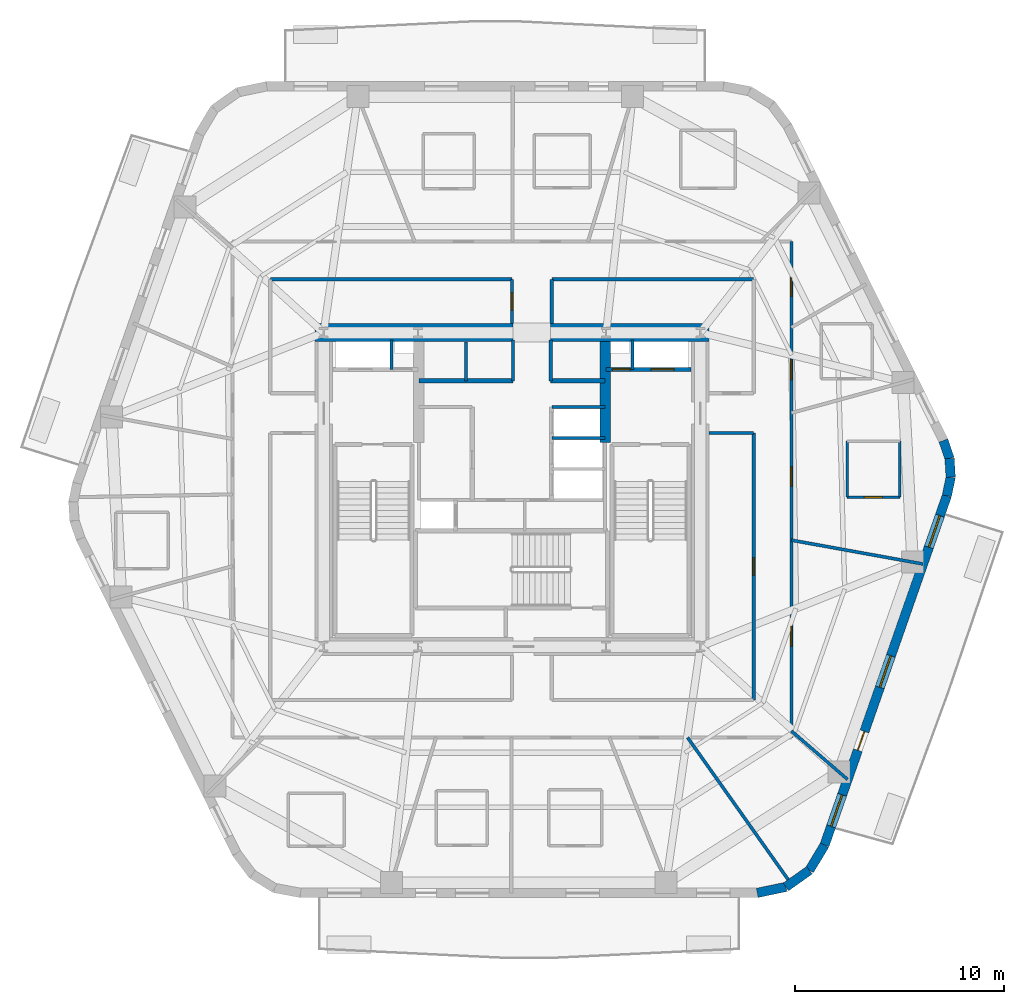
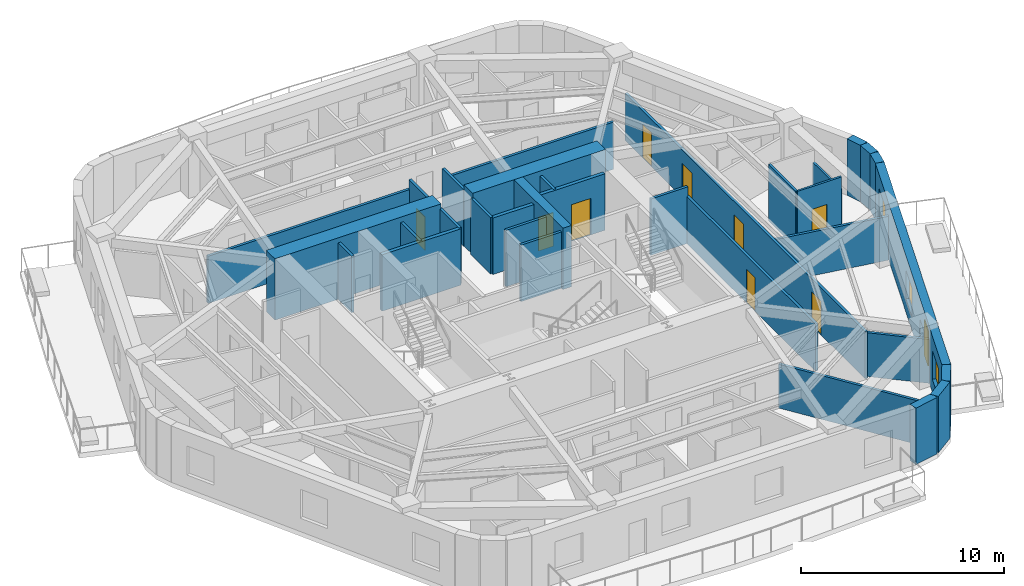
# One storey, part 5 of 11: 33 walls, 10 doors, 3 windows, 13 openings.
"""IFC4 building model written with IfcOpenShell, lengths in metres."""

from ifc_helpers import new_model, si_unit, direction, frame, frame_2d, origin, place, context, subcontext, project, spatial, rectangle, extrude, material, layer, layer_set, type_object, element, fill, save


model = new_model("IFC4")

# Units and contexts
model_context = context("Model", 3, precision=1e-05, world=origin(), true_north=direction((0.0, 1.0)))
body_context = subcontext(model_context, "Body", "Model", "MODEL_VIEW")
ifc_project = project(units=[si_unit("LENGTHUNIT", "METRE"), si_unit("AREAUNIT", "SQUARE_METRE"), si_unit("VOLUMEUNIT", "CUBIC_METRE"), si_unit("PLANEANGLEUNIT", "RADIAN"), si_unit("MASSUNIT", "GRAM", prefix="KILO")], contexts=[model_context])

# Site, building, storey
site_placement = place(None, origin())
site = spatial("IfcSite", under=ifc_project, at=site_placement, CompositionType="ELEMENT")
building_placement = place(site_placement, origin())
building = spatial("IfcBuilding", under=site, at=building_placement, Name="Kilnhurst Terrace Hotel", CompositionType="ELEMENT")
storey_placement = place(building_placement, frame((0.0, 0.0, 162.800048828125)))
storey = spatial("IfcBuildingStorey", under=building, at=storey_placement, Name="L40", CompositionType="ELEMENT", Elevation=162.800048828125)

# Walls
ifc_material_1 = material(Name="Precast concrete C40/50", Category="concrete")
ifc_layer_1 = layer(ifc_material_1, 0.449951171875, Name="Precast concrete C40/50")
ifc_layer_set_1 = layer_set([ifc_layer_1], Name="Precast concrete C40/50")
wall_type_1 = type_object("IfcWallType", Name="WL-BRK-450", PredefinedType="SOLIDWALL", material=ifc_layer_set_1)
wall_1_placement = place(storey_placement, frame((11.720458984375, -19.27490234375, 0.0), z_axis=(0.0, 0.0, 1.0), x_axis=(0.97893106758, 0.204191001093, 0.0)))
element("IfcWall", 1, at=wall_1_placement, inside=storey, type_object=wall_type_1, Name="L40 Rounded Corner Brick Wall C2.1", PredefinedType="SOLIDWALL", context=body_context, shape_type="SweptSolid", body=[
    extrude(rectangle(XDim=1.400146484375, YDim=0.449951171875, at=frame_2d((0.7001953125, 0.0))), origin(), (0.0, 0.0, 1.0), 3.39990234375),
])
wall_2_placement = place(storey_placement, frame((13.091064453125, -18.989013671875, 0.0), z_axis=(0.0, 0.0, 1.0), x_axis=(0.815574637848, 0.578651890258, 0.0)))
element("IfcWall", 2, at=wall_2_placement, inside=storey, type_object=wall_type_1, Name="L40 Rounded Corner Brick Wall C2.2", PredefinedType="SOLIDWALL", context=body_context, shape_type="SweptSolid", body=[
    extrude(rectangle(XDim=1.376708984375, YDim=0.449951171875, at=frame_2d((0.6884765625, 0.0))), origin(), (0.0, 0.0, 1.0), 3.39990234375),
])
wall_3_placement = place(storey_placement, frame((14.2138671875, -18.1923828125, 0.0), z_axis=(0.0, 0.0, 1.0), x_axis=(0.516340945502, 0.856383108193, 0.0)))
element("IfcWall", 3, at=wall_3_placement, inside=storey, type_object=wall_type_1, Name="L40 Rounded Corner Brick Wall C2.3", PredefinedType="SOLIDWALL", context=body_context, shape_type="SweptSolid", body=[
    extrude(rectangle(XDim=1.400146484375, YDim=0.449951171875, at=frame_2d((0.7001953125, 0.0))), origin(), (0.0, 0.0, 1.0), 3.39990234375),
])
wall_4_placement = place(storey_placement, frame((20.78173828125, -0.298095703125, 0.0), z_axis=(0.0, 0.0, 1.0), x_axis=(0.202570068411, 0.979267771033, 0.0)))
element("IfcWall", 4, at=wall_4_placement, inside=storey, type_object=wall_type_1, Name="L40 Rounded Corner Brick Wall C3.1", PredefinedType="SOLIDWALL", context=body_context, shape_type="SweptSolid", body=[
    extrude(rectangle(XDim=0.90869140625, YDim=0.449951171875, at=frame_2d((0.454345703125, 0.0))), origin(), (0.0, 0.0, 1.0), 3.39990234375),
])
wall_5_placement = place(storey_placement, frame((20.9658203125, 0.591796875, 0.0), z_axis=(0.0, 0.0, 1.0), x_axis=(-0.061748898935, 0.998091715966, 0.0)))
element("IfcWall", 5, at=wall_5_placement, inside=storey, type_object=wall_type_1, Name="L40 Rounded Corner Brick Wall C3.2", PredefinedType="SOLIDWALL", context=body_context, shape_type="SweptSolid", body=[
    extrude(rectangle(XDim=0.8935546875, YDim=0.449951171875, at=frame_2d((0.44677734375, 0.0))), origin(), (0.0, 0.0, 1.0), 3.39990234375),
])
wall_6_placement = place(storey_placement, frame((20.91064453125, 1.483642578125, 0.0), z_axis=(0.0, 0.0, 1.0), x_axis=(-0.321623334353, 0.946867694453, 0.0)))
element("IfcWall", 6, at=wall_6_placement, inside=storey, type_object=wall_type_1, Name="L40 Rounded Corner Brick Wall C3.3", PredefinedType="SOLIDWALL", context=body_context, shape_type="SweptSolid", body=[
    extrude(rectangle(XDim=0.90869140625, YDim=0.449951171875, at=frame_2d((0.454345703125, 0.0))), origin(), (0.0, 0.0, 1.0), 3.39990234375),
])

# Wall, openings, door, windows
wall_7_placement = place(storey_placement, frame((14.936767578125, -16.993408203125, 0.0), z_axis=(0.0, 0.0, 1.0), x_axis=(0.330431575061, 0.943829949834, 0.0)))
wall_7 = element("IfcWall", 7, at=wall_7_placement, inside=storey, type_object=wall_type_1, Name="L40 Exterior Brick Facade Wall F2", PredefinedType="SOLIDWALL", context=body_context, shape_type="SweptSolid", body=[
    extrude(rectangle(XDim=17.68896484375, YDim=0.449951171875, at=frame_2d((8.844482421875, 0.0))), origin(), (0.0, 0.0, 1.0), 3.39990234375),
])
opening_1_placement = place(wall_7_placement, frame((4.806884765625, 0.0, 0.0)))
opening_1 = element("IfcOpeningElement", 8, at=opening_1_placement, cuts=wall_7, Name="Opening BD-950", PredefinedType="OPENING", context=body_context, shape_type="SweptSolid", body=[
    extrude(rectangle(XDim=0.949951171875, YDim=2.14990234375, at=frame_2d((0.47509765625, 1.074951171875))), frame((0.0, 0.23486328125, 0.0), z_axis=(0.0, -1.0, 0.0), x_axis=(1.0, 0.0, 0.0)), (0.0, 0.0, 1.0), 0.469970703125),
])
opening_2_placement = place(wall_7_placement, frame((0.949951171875, 0.0, 0.800048828125)))
opening_2 = element("IfcOpeningElement", 9, at=opening_2_placement, cuts=wall_7, Name="Opening W-05", PredefinedType="OPENING", context=body_context, shape_type="SweptSolid", body=[
    extrude(rectangle(XDim=1.60009765625, YDim=1.75, at=frame_2d((0.800048828125, 0.875))), frame((0.0, 0.23486328125, 0.0), z_axis=(0.0, -1.0, 0.0), x_axis=(1.0, 0.0, 0.0)), (0.0, 0.0, 1.0), 0.469970703125),
])
opening_3_placement = place(wall_7_placement, frame((7.989990234375, 0.0, 0.800048828125)))
opening_3 = element("IfcOpeningElement", 10, at=opening_3_placement, cuts=wall_7, Name="Opening W-05", PredefinedType="OPENING", context=body_context, shape_type="SweptSolid", body=[
    extrude(rectangle(XDim=1.60009765625, YDim=1.75, at=frame_2d((0.800048828125, 0.875))), frame((0.0, 0.23486328125, 0.0), z_axis=(0.0, -1.0, 0.0), x_axis=(1.0, 0.0, 0.0)), (0.0, 0.0, 1.0), 0.469970703125),
])
opening_4_placement = place(wall_7_placement, frame((15.083984375, 0.0, 0.800048828125)))
opening_4 = element("IfcOpeningElement", 11, at=opening_4_placement, cuts=wall_7, Name="Opening W-05", PredefinedType="OPENING", context=body_context, shape_type="SweptSolid", body=[
    extrude(rectangle(XDim=1.60009765625, YDim=1.75, at=frame_2d((0.800048828125, 0.875))), frame((0.0, 0.23486328125, 0.0), z_axis=(0.0, -1.0, 0.0), x_axis=(1.0, 0.0, 0.0)), (0.0, 0.0, 1.0), 0.469970703125),
])
ifc_material_2 = material(Name="Thermally Broken Bronze Aluminium Alloy 6063-T6 and Laminated Glass", Category="aluminium")
door_type_1 = type_object("IfcDoorType", Name="DR-EXT-BAL-950", OperationType="NOTDEFINED", PredefinedType="DOOR", material=ifc_material_2)
door_1_placement = place(opening_1_placement, origin())
door_1 = element("IfcDoor", 12, at=door_1_placement, inside=storey, type_object=door_type_1, Name="L40 Planted Balcony Door BAL-L1B", OperationType="SINGLE_SWING_RIGHT", OverallHeight=2.14990234375, OverallWidth=0.949951171875, PredefinedType="DOOR", context=body_context, shape_type="SweptSolid", body=[
    extrude(rectangle(XDim=0.949951171875, YDim=2.14990234375, at=frame_2d((0.47509765625, 1.074951171875))), frame((0.0, 0.02490234375, 0.0), z_axis=(0.0, -1.0, 0.0), x_axis=(1.0, 0.0, 0.0)), (0.0, 0.0, 1.0), 0.050048828125),
])
fill(opening_1, door_1)
ifc_material_3 = material(Name="Thermally Broken Bronze Aluminium Alloy 6063-T6 and Low-E Glass", Category="aluminium")
window_type = type_object("IfcWindowType", Name="WIN-1600X1750", PartitioningType="SINGLE_PANEL", PredefinedType="WINDOW", material=ifc_material_3)
window_1_placement = place(opening_2_placement, origin())
window_1 = element("IfcWindow", 13, at=window_1_placement, inside=storey, type_object=window_type, Name="L40 Deep-Set Masonry Window F2.1", OverallHeight=1.75, OverallWidth=1.60009765625, PartitioningType="SINGLE_PANEL", PredefinedType="WINDOW", context=body_context, shape_type="SweptSolid", body=[
    extrude(rectangle(XDim=1.60009765625, YDim=1.75, at=frame_2d((0.800048828125, 0.875))), frame((0.0, 0.030029296875, 0.0), z_axis=(0.0, -1.0, 0.0), x_axis=(1.0, 0.0, 0.0)), (0.0, 0.0, 1.0), 0.06005859375),
])
fill(opening_2, window_1)
window_2_placement = place(opening_3_placement, origin())
window_2 = element("IfcWindow", 14, at=window_2_placement, inside=storey, type_object=window_type, Name="L40 Deep-Set Masonry Window F2.2", OverallHeight=1.75, OverallWidth=1.60009765625, PartitioningType="SINGLE_PANEL", PredefinedType="WINDOW", context=body_context, shape_type="SweptSolid", body=[
    extrude(rectangle(XDim=1.60009765625, YDim=1.75, at=frame_2d((0.800048828125, 0.875))), frame((0.0, 0.030029296875, 0.0), z_axis=(0.0, -1.0, 0.0), x_axis=(1.0, 0.0, 0.0)), (0.0, 0.0, 1.0), 0.06005859375),
])
fill(opening_3, window_2)
window_3_placement = place(opening_4_placement, origin())
window_3 = element("IfcWindow", 15, at=window_3_placement, inside=storey, type_object=window_type, Name="L40 Deep-Set Masonry Window F2.3", OverallHeight=1.75, OverallWidth=1.60009765625, PartitioningType="SINGLE_PANEL", PredefinedType="WINDOW", context=body_context, shape_type="SweptSolid", body=[
    extrude(rectangle(XDim=1.60009765625, YDim=1.75, at=frame_2d((0.800048828125, 0.875))), frame((0.0, 0.030029296875, 0.0), z_axis=(0.0, -1.0, 0.0), x_axis=(1.0, 0.0, 0.0)), (0.0, 0.0, 1.0), 0.06005859375),
])
fill(opening_4, window_3)

# Wall, openings, doors
ifc_material_4 = material(Name="Acoustic Double-Gypsum Corridor Partition Assembly")
ifc_layer_2 = layer(ifc_material_4, 0.14990234375, Name="Acoustic Double-Gypsum Corridor Partition Assembly")
ifc_layer_set_2 = layer_set([ifc_layer_2], Name="Acoustic Double-Gypsum Corridor Partition Assembly")
wall_type_2 = type_object("IfcWallType", Name="WL-COR-150", PredefinedType="PARTITIONING", material=ifc_layer_set_2)
wall_8_placement = place(storey_placement, frame((13.35009765625, 11.85009765625, 0.0), z_axis=(0.0, 0.0, 1.0), x_axis=(0.0, -1.0, 0.0)))
wall_8 = element("IfcWall", 16, at=wall_8_placement, inside=storey, type_object=wall_type_2, Name="L40 Interior Wall WL-L40-COR-04", PredefinedType="PARTITIONING", context=body_context, shape_type="SweptSolid", body=[
    extrude(rectangle(XDim=23.7001953125, YDim=0.14990234375, at=frame_2d((11.85009765625, 0.0))), origin(), (0.0, 0.0, 1.0), 2.83984375),
])
opening_5_placement = place(wall_8_placement, frame((5.652099609375, 0.0, 0.0)))
opening_5 = element("IfcOpeningElement", 17, at=opening_5_placement, cuts=wall_8, Name="Opening D-60B", PredefinedType="OPENING", context=body_context, shape_type="SweptSolid", body=[
    extrude(rectangle(XDim=0.949951171875, YDim=2.030029296875, at=frame_2d((0.47509765625, 1.01513671875))), frame((0.0, 0.0849609375, 0.0), z_axis=(0.0, -1.0, 0.0), x_axis=(1.0, 0.0, 0.0)), (0.0, 0.0, 1.0), 0.169921875),
])
opening_6_placement = place(wall_8_placement, frame((1.720947265625, 0.0, 0.0)))
opening_6 = element("IfcOpeningElement", 18, at=opening_6_placement, cuts=wall_8, Name="Opening D-60C", PredefinedType="OPENING", context=body_context, shape_type="SweptSolid", body=[
    extrude(rectangle(XDim=0.89990234375, YDim=2.030029296875, at=frame_2d((0.449951171875, 1.01513671875))), frame((0.0, 0.0849609375, 0.0), z_axis=(0.0, -1.0, 0.0), x_axis=(1.0, 0.0, 0.0)), (0.0, 0.0, 1.0), 0.169921875),
])
opening_7_placement = place(wall_8_placement, frame((18.388916015625, 0.0, 0.0)))
opening_7 = element("IfcOpeningElement", 19, at=opening_7_placement, cuts=wall_8, Name="Opening D-60B", PredefinedType="OPENING", context=body_context, shape_type="SweptSolid", body=[
    extrude(rectangle(XDim=0.949951171875, YDim=2.030029296875, at=frame_2d((0.47509765625, 1.01513671875))), frame((0.0, 0.0849609375, 0.0), z_axis=(0.0, -1.0, 0.0), x_axis=(1.0, 0.0, 0.0)), (0.0, 0.0, 1.0), 0.169921875),
])
opening_8_placement = place(wall_8_placement, frame((10.7509765625, 0.0, 0.0)))
opening_8 = element("IfcOpeningElement", 20, at=opening_8_placement, cuts=wall_8, Name="Opening D-60B", PredefinedType="OPENING", context=body_context, shape_type="SweptSolid", body=[
    extrude(rectangle(XDim=0.949951171875, YDim=2.030029296875, at=frame_2d((0.47509765625, 1.01513671875))), frame((0.0, 0.0849609375, 0.0), z_axis=(0.0, -1.0, 0.0), x_axis=(1.0, 0.0, 0.0)), (0.0, 0.0, 1.0), 0.169921875),
])
ifc_material_5 = material(Name="Painted Solid-Core Service Fire Door")
door_type_2 = type_object("IfcDoorType", Name="DR-FD60-900", OperationType="NOTDEFINED", PredefinedType="DOOR", material=ifc_material_5)
door_2_placement = place(opening_6_placement, origin())
door_2 = element("IfcDoor", 21, at=door_2_placement, inside=storey, type_object=door_type_2, Name="L40 Private Study Salon Door 2", OperationType="SINGLE_SWING_RIGHT", OverallHeight=2.030029296875, OverallWidth=0.89990234375, PredefinedType="DOOR", context=body_context, shape_type="SweptSolid", body=[
    extrude(rectangle(XDim=0.89990234375, YDim=2.030029296875, at=frame_2d((0.449951171875, 1.01513671875))), frame((0.0, 0.02490234375, 0.0), z_axis=(0.0, -1.0, 0.0), x_axis=(1.0, 0.0, 0.0)), (0.0, 0.0, 1.0), 0.050048828125),
])
fill(opening_6, door_2)
ifc_material_6 = material(Name="Acoustic Walnut Veneer Solid-Core Fire Door")
door_type_3 = type_object("IfcDoorType", Name="DR-FD60-950", OperationType="NOTDEFINED", PredefinedType="DOOR", material=ifc_material_6)
door_3_placement = place(opening_5_placement, origin())
door_3 = element("IfcDoor", 22, at=door_3_placement, inside=storey, type_object=door_type_3, Name="L40 Guest Room Entry Door 1", OperationType="SINGLE_SWING_LEFT", OverallHeight=2.030029296875, OverallWidth=0.949951171875, PredefinedType="DOOR", context=body_context, shape_type="SweptSolid", body=[
    extrude(rectangle(XDim=0.949951171875, YDim=2.030029296875, at=frame_2d((0.47509765625, 1.01513671875))), frame((0.0, 0.02490234375, 0.0), z_axis=(0.0, -1.0, 0.0), x_axis=(1.0, 0.0, 0.0)), (0.0, 0.0, 1.0), 0.050048828125),
])
fill(opening_5, door_3)
door_4_placement = place(opening_7_placement, origin())
door_4 = element("IfcDoor", 23, at=door_4_placement, inside=storey, type_object=door_type_3, Name="L40 Executive Office Door", OperationType="SINGLE_SWING_LEFT", OverallHeight=2.030029296875, OverallWidth=0.949951171875, PredefinedType="DOOR", context=body_context, shape_type="SweptSolid", body=[
    extrude(rectangle(XDim=0.949951171875, YDim=2.030029296875, at=frame_2d((0.47509765625, 1.01513671875))), frame((0.0, 0.02490234375, 0.0), z_axis=(0.0, -1.0, 0.0), x_axis=(1.0, 0.0, 0.0)), (0.0, 0.0, 1.0), 0.050048828125),
])
fill(opening_7, door_4)
door_5_placement = place(opening_8_placement, origin())
door_5 = element("IfcDoor", 24, at=door_5_placement, inside=storey, type_object=door_type_3, Name="L40 Guest Room Entry Door 18", OperationType="SINGLE_SWING_RIGHT", OverallHeight=2.030029296875, OverallWidth=0.949951171875, PredefinedType="DOOR", context=body_context, shape_type="SweptSolid", body=[
    extrude(rectangle(XDim=0.949951171875, YDim=2.030029296875, at=frame_2d((0.47509765625, 1.01513671875))), frame((0.0, 0.02490234375, 0.0), z_axis=(0.0, -1.0, 0.0), x_axis=(1.0, 0.0, 0.0)), (0.0, 0.0, 1.0), 0.050048828125),
])
fill(opening_8, door_5)

# Wall, opening, door
wall_9_placement = place(storey_placement, frame((11.550048828125, -10.050048828125, 0.0), z_axis=(0.0, 0.0, 1.0), x_axis=(0.0, 1.0, 0.0)))
wall_9 = element("IfcWall", 25, at=wall_9_placement, inside=storey, type_object=wall_type_2, Name="L40 Interior Wall WL-L40-COR-05", PredefinedType="PARTITIONING", context=body_context, shape_type="SweptSolid", body=[
    extrude(rectangle(XDim=12.75, YDim=0.14990234375, at=frame_2d((6.375, 0.0))), origin(), (0.0, 0.0, 1.0), 2.83984375),
])
opening_9_placement = place(wall_9_placement, frame((5.949951171875, 0.0, 0.0)))
opening_9 = element("IfcOpeningElement", 26, at=opening_9_placement, cuts=wall_9, Name="Opening D-60D", PredefinedType="OPENING", context=body_context, shape_type="SweptSolid", body=[
    extrude(rectangle(XDim=0.85009765625, YDim=2.030029296875, at=frame_2d((0.425048828125, 1.01513671875))), frame((0.0, 0.0849609375, 0.0), z_axis=(0.0, -1.0, 0.0), x_axis=(1.0, 0.0, 0.0)), (0.0, 0.0, 1.0), 0.169921875),
])
ifc_material_7 = material(Name="Painted Hollow Metal Steel ASTM A36 Riser Door", Category="steel")
door_type_4 = type_object("IfcDoorType", Name="DR-FD60-850", OperationType="NOTDEFINED", PredefinedType="DOOR", material=ifc_material_7)
door_6_placement = place(opening_9_placement, origin())
door_6 = element("IfcDoor", 27, at=door_6_placement, inside=storey, type_object=door_type_4, Name="L40 Floor Electrical Switch Room Door", OperationType="SINGLE_SWING_RIGHT", OverallHeight=2.030029296875, OverallWidth=0.85009765625, PredefinedType="DOOR", context=body_context, shape_type="SweptSolid", body=[
    extrude(rectangle(XDim=0.85009765625, YDim=2.030029296875, at=frame_2d((0.425048828125, 1.01513671875))), frame((0.0, 0.02490234375, 0.0), z_axis=(0.0, -1.0, 0.0), x_axis=(1.0, 0.0, 0.0)), (0.0, 0.0, 1.0), 0.050048828125),
])
fill(opening_9, door_6)

# Walls
wall_10_placement = place(storey_placement, frame((11.550048828125, 2.699951171875, 0.0), z_axis=(0.0, 0.0, 1.0), x_axis=(-1.0, 0.0, 0.0)))
element("IfcWall", 28, at=wall_10_placement, inside=storey, type_object=wall_type_2, Name="L40 Interior Wall WL-L40-COR-06", PredefinedType="PARTITIONING", context=body_context, shape_type="SweptSolid", body=[
    extrude(rectangle(XDim=2.125, YDim=0.14990234375, at=frame_2d((1.0625, 0.0))), origin(), (0.0, 0.0, 1.0), 3.39990234375),
])
wall_11_placement = place(storey_placement, frame((11.550048828125, 10.050048828125, 0.0), z_axis=(0.0, 0.0, 1.0), x_axis=(-1.0, 0.0, 0.0)))
element("IfcWall", 29, at=wall_11_placement, inside=storey, type_object=wall_type_2, Name="L40 Interior Wall WL-L40-COR-09", PredefinedType="PARTITIONING", context=body_context, shape_type="SweptSolid", body=[
    extrude(rectangle(XDim=9.650146484375, YDim=0.14990234375, at=frame_2d((4.8251953125, 0.0))), origin(), (0.0, 0.0, 1.0), 2.83984375),
])
wall_12_placement = place(storey_placement, frame((1.89990234375, 10.050048828125, 0.0), z_axis=(0.0, 0.0, 1.0), x_axis=(0.0, -1.0, 0.0)))
element("IfcWall", 30, at=wall_12_placement, inside=storey, type_object=wall_type_2, Name="L40 Interior Wall WL-L40-COR-10", PredefinedType="PARTITIONING", context=body_context, shape_type="SweptSolid", body=[
    extrude(rectangle(XDim=2.125, YDim=0.14990234375, at=frame_2d((1.0625, 0.0))), origin(), (0.0, 0.0, 1.0), 3.39990234375),
])

# Wall, opening, door
wall_13_placement = place(storey_placement, frame((0.0, 7.925048828125, 0.0), z_axis=(0.0, 0.0, 1.0), x_axis=(0.0, 1.0, 0.0)))
wall_13 = element("IfcWall", 31, at=wall_13_placement, inside=storey, type_object=wall_type_2, Name="L40 Interior Wall WL-L40-COR-11", PredefinedType="PARTITIONING", context=body_context, shape_type="SweptSolid", body=[
    extrude(rectangle(XDim=2.125, YDim=0.14990234375, at=frame_2d((1.0625, 0.0))), origin(), (0.0, 0.0, 1.0), 3.39990234375),
])
opening_10_placement = place(wall_13_placement, frame((0.637939453125, 0.0, 0.0)))
opening_10 = element("IfcOpeningElement", 32, at=opening_10_placement, cuts=wall_13, Name="Opening D-60D", PredefinedType="OPENING", context=body_context, shape_type="SweptSolid", body=[
    extrude(rectangle(XDim=0.85009765625, YDim=2.030029296875, at=frame_2d((0.425048828125, 1.01513671875))), frame((0.0, 0.0849609375, 0.0), z_axis=(0.0, -1.0, 0.0), x_axis=(1.0, 0.0, 0.0)), (0.0, 0.0, 1.0), 0.169921875),
])
door_7_placement = place(opening_10_placement, origin())
door_7 = element("IfcDoor", 33, at=door_7_placement, inside=storey, type_object=door_type_4, Name="L40 Floor Valet Equipment Store Door", OperationType="SINGLE_SWING_RIGHT", OverallHeight=2.030029296875, OverallWidth=0.85009765625, PredefinedType="DOOR", context=body_context, shape_type="SweptSolid", body=[
    extrude(rectangle(XDim=0.85009765625, YDim=2.030029296875, at=frame_2d((0.425048828125, 1.01513671875))), frame((0.0, 0.02490234375, 0.0), z_axis=(0.0, -1.0, 0.0), x_axis=(1.0, 0.0, 0.0)), (0.0, 0.0, 1.0), 0.050048828125),
])
fill(opening_10, door_7)

# Walls
wall_14_placement = place(storey_placement, frame((0.0, 10.050048828125, 0.0), z_axis=(0.0, 0.0, 1.0), x_axis=(-1.0, 0.0, 0.0)))
element("IfcWall", 34, at=wall_14_placement, inside=storey, type_object=wall_type_2, Name="L40 Interior Wall WL-L40-COR-12", PredefinedType="PARTITIONING", context=body_context, shape_type="SweptSolid", body=[
    extrude(rectangle(XDim=11.550048828125, YDim=0.14990234375, at=frame_2d((5.77490234375, 0.0))), origin(), (0.0, 0.0, 1.0), 2.83984375),
])
ifc_material_8 = material(Name="Concrete C80/95", Category="concrete")
ifc_layer_3 = layer(ifc_material_8, 0.85009765625, Name="Concrete C80/95")
ifc_layer_set_3 = layer_set([ifc_layer_3], Name="Concrete C80/95")
wall_type_3 = type_object("IfcWallType", Name="WL-CORE-850", PredefinedType="SHEAR", material=ifc_layer_set_3)
wall_15_placement = place(storey_placement, frame((-9.425048828125, 7.5, 0.0), z_axis=(0.0, 0.0, 1.0), x_axis=(1.0, 0.0, 0.0)))
element("IfcWall", 35, at=wall_15_placement, inside=storey, type_object=wall_type_3, Name="L40 Core North West Shear Wall", PredefinedType="SHEAR", context=body_context, shape_type="SweptSolid", body=[
    extrude(rectangle(XDim=9.47509765625, YDim=0.85009765625, at=frame_2d((4.737548828125, 0.0))), origin(), (0.0, 0.0, 1.0), 3.699951171875),
])
wall_16_placement = place(storey_placement, frame((1.85009765625, 7.5, 0.0), z_axis=(0.0, 0.0, 1.0), x_axis=(1.0, 0.0, 0.0)))
element("IfcWall", 36, at=wall_16_placement, inside=storey, type_object=wall_type_3, Name="L40 Core North East Shear Wall", PredefinedType="SHEAR", context=body_context, shape_type="SweptSolid", body=[
    extrude(rectangle(XDim=7.574951171875, YDim=0.85009765625, at=frame_2d((3.78759765625, 0.0))), origin(), (0.0, 0.0, 1.0), 3.699951171875),
])
ifc_material_9 = material(Name="Concrete C60/75", Category="concrete")
ifc_layer_4 = layer(ifc_material_9, 0.5, Name="Concrete C60/75")
ifc_layer_set_4 = layer_set([ifc_layer_4], Name="Concrete C60/75")
wall_type_4 = type_object("IfcWallType", Name="WL-CORE-WEB-500", PredefinedType="SHEAR", material=ifc_layer_set_4)
wall_17_placement = place(storey_placement, frame((4.449951171875, 2.25, 0.0), z_axis=(0.0, 0.0, 1.0), x_axis=(0.0, 1.0, 0.0)))
element("IfcWall", 37, at=wall_17_placement, inside=storey, type_object=wall_type_4, Name="L40 Core Internal East Shear Web", PredefinedType="SHEAR", context=body_context, shape_type="SweptSolid", body=[
    extrude(rectangle(XDim=4.824951171875, YDim=0.5, at=frame_2d((2.41259765625, 0.0))), origin(), (0.0, 0.0, 1.0), 3.699951171875),
])
ifc_material_10 = material(Name="STC-58 Acoustic Twin-Frame Guestroom Demising Partition")
ifc_layer_5 = layer(ifc_material_10, 0.14990234375, Name="STC-58 Acoustic Twin-Frame Guestroom Demising Partition")
ifc_layer_set_5 = layer_set([ifc_layer_5], Name="STC-58 Acoustic Twin-Frame Guestroom Demising Partition")
wall_type_5 = type_object("IfcWallType", Name="WL-DEM-150", PredefinedType="PARTITIONING", material=ifc_layer_set_5)
wall_18_placement = place(storey_placement, frame((8.390380859375, -11.85009765625, 0.0), z_axis=(0.0, 0.0, 1.0), x_axis=(0.577877530264, -0.816123495566, 0.0)))
element("IfcWall", 38, at=wall_18_placement, inside=storey, type_object=wall_type_5, Name="L40 Interior Wall WL-L40-DEM-MID10-16-1", PredefinedType="PARTITIONING", context=body_context, shape_type="SweptSolid", body=[
    extrude(rectangle(XDim=8.38232421875, YDim=0.14990234375, at=frame_2d((4.191162109375, 0.0))), origin(), (0.0, 0.0, 1.0), 2.639892578125),
])
wall_19_placement = place(storey_placement, frame((13.35009765625, -11.53271484375, 0.0), z_axis=(0.0, 0.0, 1.0), x_axis=(0.756711647314, -0.65374879183, 0.0)))
element("IfcWall", 39, at=wall_19_placement, inside=storey, type_object=wall_type_5, Name="L40 Interior Wall WL-L40-DEM-COL11-17-1", PredefinedType="PARTITIONING", context=body_context, shape_type="SweptSolid", body=[
    extrude(rectangle(XDim=3.549560546875, YDim=0.14990234375, at=frame_2d((1.77490234375, 0.0))), origin(), (0.0, 0.0, 1.0), 2.639892578125),
])
wall_20_placement = place(storey_placement, frame((13.35009765625, -2.417236328125, 0.0), z_axis=(0.0, 0.0, 1.0), x_axis=(0.98399796473, -0.178179699761, 0.0)))
element("IfcWall", 40, at=wall_20_placement, inside=storey, type_object=wall_type_5, Name="L40 Interior Wall WL-L40-DEM-COL12-18-1", PredefinedType="PARTITIONING", context=body_context, shape_type="SweptSolid", body=[
    extrude(rectangle(XDim=6.393310546875, YDim=0.14990234375, at=frame_2d((3.19677734375, 0.0))), origin(), (0.0, 0.0, 1.0), 2.639892578125),
])

# Wall, opening, door
ifc_material_11 = material(Name="120 mm Moisture-Resistant Tile-Backed Bathroom Partition")
ifc_layer_6 = layer(ifc_material_11, 0.1201171875, Name="120 mm Moisture-Resistant Tile-Backed Bathroom Partition")
ifc_layer_set_6 = layer_set([ifc_layer_6], Name="120 mm Moisture-Resistant Tile-Backed Bathroom Partition")
wall_type_6 = type_object("IfcWallType", Name="WL-PART-120", PredefinedType="PARTITIONING", material=ifc_layer_set_6)
wall_21_placement = place(storey_placement, frame((16.010009765625, -0.366943359375, 0.0), z_axis=(0.0, 0.0, 1.0), x_axis=(1.0, 0.0, 0.0)))
wall_21 = element("IfcWall", 41, at=wall_21_placement, inside=storey, type_object=wall_type_6, Name="L40 Interior Wall WL-L40-BTH-18-1", PredefinedType="PARTITIONING", context=body_context, shape_type="SweptSolid", body=[
    extrude(rectangle(XDim=2.52001953125, YDim=0.1201171875, at=frame_2d((1.260009765625, 0.0))), origin(), (0.0, 0.0, 1.0), 3.39990234375),
])
opening_11_placement = place(wall_21_placement, frame((0.8349609375, 0.0, 0.0)))
opening_11 = element("IfcOpeningElement", 42, at=opening_11_placement, cuts=wall_21, Name="Opening D-08A", PredefinedType="OPENING", context=body_context, shape_type="SweptSolid", body=[
    extrude(rectangle(XDim=0.85009765625, YDim=2.030029296875, at=frame_2d((0.425048828125, 1.01513671875))), frame((0.0, 0.070068359375, 0.0), z_axis=(0.0, -1.0, 0.0), x_axis=(1.0, 0.0, 0.0)), (0.0, 0.0, 1.0), 0.14013671875),
])
ifc_material_12 = material(Name="Moisture-Resistant Lacquered En-suite Bathroom Door")
door_type_5 = type_object("IfcDoorType", Name="DR-INT-850", OperationType="NOTDEFINED", PredefinedType="DOOR", material=ifc_material_12)
door_8_placement = place(opening_11_placement, origin())
door_8 = element("IfcDoor", 43, at=door_8_placement, inside=storey, type_object=door_type_5, Name="L40 En-suite Bathroom Door 18", OperationType="SINGLE_SWING_LEFT", OverallHeight=2.030029296875, OverallWidth=0.85009765625, PredefinedType="DOOR", context=body_context, shape_type="SweptSolid", body=[
    extrude(rectangle(XDim=0.85009765625, YDim=2.030029296875, at=frame_2d((0.425048828125, 1.01513671875))), frame((0.0, 0.02490234375, 0.0), z_axis=(0.0, -1.0, 0.0), x_axis=(1.0, 0.0, 0.0)), (0.0, 0.0, 1.0), 0.050048828125),
])
fill(opening_11, door_8)

# Walls
wall_22_placement = place(storey_placement, frame((18.530029296875, -0.366943359375, 0.0), z_axis=(0.0, 0.0, 1.0), x_axis=(0.0, 1.0, 0.0)))
element("IfcWall", 44, at=wall_22_placement, inside=storey, type_object=wall_type_6, Name="L40 Interior Wall WL-L40-BTH-18-2", PredefinedType="PARTITIONING", context=body_context, shape_type="SweptSolid", body=[
    extrude(rectangle(XDim=2.679931640625, YDim=0.1201171875, at=frame_2d((1.33984375, 0.0))), origin(), (0.0, 0.0, 1.0), 2.639892578125),
])
wall_23_placement = place(storey_placement, frame((16.010009765625, 2.31298828125, 0.0), z_axis=(0.0, 0.0, 1.0), x_axis=(0.0, -1.0, 0.0)))
element("IfcWall", 45, at=wall_23_placement, inside=storey, type_object=wall_type_6, Name="L40 Interior Wall WL-L40-BTH-18-4", PredefinedType="PARTITIONING", context=body_context, shape_type="SweptSolid", body=[
    extrude(rectangle(XDim=2.679931640625, YDim=0.1201171875, at=frame_2d((1.33984375, 0.0))), origin(), (0.0, 0.0, 1.0), 3.39990234375),
])
ifc_material_13 = material(Name="Fire-Rated Gypsum Shaftliner Assembly")
ifc_layer_7 = layer(ifc_material_13, 0.14990234375, Name="Fire-Rated Gypsum Shaftliner Assembly")
ifc_layer_set_7 = layer_set([ifc_layer_7], Name="Fire-Rated Gypsum Shaftliner Assembly")
wall_type_7 = type_object("IfcWallType", Name="WL-SHAFT-150", PredefinedType="PARTITIONING", material=ifc_layer_set_7)
for number, where, z_axis, x_axis, name in (
    (46, (-5.75, 5.739990234375, 0.0), (0.0, 0.0, 1.0), (0.0, 1.0, 0.0), "L40 Interior Wall WL-L40-RIS1-DIV"),
    (47, (5.75, 5.739990234375, 0.0), (0.0, 0.0, 1.0), (0.0, 1.0, 0.0), "L40 Interior Wall WL-L40-RIS2-DIV"),
):
    element("IfcWall", number, at=place(storey_placement, frame(where, z_axis=z_axis, x_axis=x_axis)), inside=storey, type_object=wall_type_7, Name=name, PredefinedType="PARTITIONING", context=body_context, shape_type="SweptSolid", body=[
        extrude(rectangle(XDim=1.409912109375, YDim=0.14990234375, at=frame_2d((0.705078125, 0.0))), origin(), (0.0, 0.0, 1.0), 3.39990234375),
    ])
wall_24_placement = place(storey_placement, frame((-2.199951171875, 5.199951171875, 0.0), z_axis=(0.0, 0.0, 1.0), x_axis=(0.0, 1.0, 0.0)))
element("IfcWall", 48, at=wall_24_placement, inside=storey, type_object=wall_type_7, Name="L40 Interior Wall WL-L40-HR-DIV1", PredefinedType="PARTITIONING", context=body_context, shape_type="SweptSolid", body=[
    extrude(rectangle(XDim=1.85009765625, YDim=0.14990234375, at=frame_2d((0.925048828125, 0.0))), origin(), (0.0, 0.0, 1.0), 3.39990234375),
])
for number, where, z_axis, x_axis, name in (
    (49, (0.050048828125, 5.199951171875, 0.0), (0.0, 0.0, 1.0), (0.0, 1.0, 0.0), "L40 Interior Wall WL-L40-HR-PORTAL-W"),
    (50, (1.85009765625, 5.199951171875, 0.0), (0.0, 0.0, 1.0), (0.0, 1.0, 0.0), "L40 Interior Wall WL-L40-HR-PORTAL-E"),
):
    element("IfcWall", number, at=place(storey_placement, frame(where, z_axis=z_axis, x_axis=x_axis)), inside=storey, type_object=wall_type_7, Name=name, PredefinedType="PARTITIONING", context=body_context, shape_type="SweptSolid", body=[
        extrude(rectangle(XDim=1.949951171875, YDim=0.14990234375, at=frame_2d((0.97509765625, 0.0))), origin(), (0.0, 0.0, 1.0), 3.39990234375),
    ])
for number, where, z_axis, x_axis, name in (
    (51, (1.89990234375, 3.93994140625, 0.0), (0.0, 0.0, 1.0), (1.0, 0.0, 0.0), "L40 Interior Wall WL-L40-MR-NORTH"),
    (52, (1.89990234375, 2.4599609375, 0.0), (0.0, 0.0, 1.0), (1.0, 0.0, 0.0), "L40 Interior Wall WL-L40-MR-D2"),
):
    element("IfcWall", number, at=place(storey_placement, frame(where, z_axis=z_axis, x_axis=x_axis)), inside=storey, type_object=wall_type_7, Name=name, PredefinedType="PARTITIONING", context=body_context, shape_type="SweptSolid", body=[
        extrude(rectangle(XDim=2.550048828125, YDim=0.14990234375, at=frame_2d((1.27490234375, 0.0))), origin(), (0.0, 0.0, 1.0), 3.39990234375),
    ])

# Wall, openings, doors
ifc_material_14 = material(Name="Autoclaved Aerated Concrete C30/37 and Gypsum Shaft Assembly", Category="concrete")
ifc_layer_8 = layer(ifc_material_14, 0.199951171875, Name="Autoclaved Aerated Concrete C30/37 and Gypsum Shaft Assembly")
ifc_layer_set_8 = layer_set([ifc_layer_8], Name="Autoclaved Aerated Concrete C30/37 and Gypsum Shaft Assembly")
wall_type_8 = type_object("IfcWallType", Name="WL-SHAFT-200", PredefinedType="PARTITIONING", material=ifc_layer_set_8)
wall_25_placement = place(storey_placement, frame((4.5, 5.739990234375, 0.0), z_axis=(0.0, 0.0, 1.0), x_axis=(1.0, 0.0, 0.0)))
wall_25 = element("IfcWall", 53, at=wall_25_placement, inside=storey, type_object=wall_type_8, Name="L40 Interior Wall WL-L40-FSAE2-S", PredefinedType="PARTITIONING", context=body_context, shape_type="SweptSolid", body=[
    extrude(rectangle(XDim=4.050048828125, YDim=0.199951171875, at=frame_2d((2.02490234375, 0.0))), origin(), (0.0, 0.0, 1.0), 3.39990234375),
])
opening_12_placement = place(wall_25_placement, frame((0.300048828125, 0.0, 0.0)))
opening_12 = element("IfcOpeningElement", 54, at=opening_12_placement, cuts=wall_25, Name="Opening D-60D", PredefinedType="OPENING", context=body_context, shape_type="SweptSolid", body=[
    extrude(rectangle(XDim=0.85009765625, YDim=2.030029296875, at=frame_2d((0.425048828125, 1.01513671875))), frame((0.0, 0.10986328125, 0.0), z_axis=(0.0, -1.0, 0.0), x_axis=(1.0, 0.0, 0.0)), (0.0, 0.0, 1.0), 0.219970703125),
])
opening_13_placement = place(wall_25_placement, frame((2.14990234375, 0.0, 0.0)))
opening_13 = element("IfcOpeningElement", 55, at=opening_13_placement, cuts=wall_25, Name="Opening LD-F2", PredefinedType="OPENING", context=body_context, shape_type="SweptSolid", body=[
    extrude(rectangle(XDim=1.10009765625, YDim=2.199951171875, at=frame_2d((0.550048828125, 1.10009765625))), frame((0.0, 0.10986328125, 0.0), z_axis=(0.0, -1.0, 0.0), x_axis=(1.0, 0.0, 0.0)), (0.0, 0.0, 1.0), 0.219970703125),
])
door_9_placement = place(opening_12_placement, origin())
door_9 = element("IfcDoor", 56, at=door_9_placement, inside=storey, type_object=door_type_4, Name="L40 Telecom Riser Door", OperationType="SINGLE_SWING_RIGHT", OverallHeight=2.030029296875, OverallWidth=0.85009765625, PredefinedType="DOOR", context=body_context, shape_type="SweptSolid", body=[
    extrude(rectangle(XDim=0.85009765625, YDim=2.030029296875, at=frame_2d((0.425048828125, 1.01513671875))), frame((0.0, 0.02490234375, 0.0), z_axis=(0.0, -1.0, 0.0), x_axis=(1.0, 0.0, 0.0)), (0.0, 0.0, 1.0), 0.050048828125),
])
fill(opening_12, door_9)
ifc_material_15 = material(Name="Bronze-Anodized Stainless Steel AISI 316L Sliding Door", Category="steel")
door_type_6 = type_object("IfcDoorType", Name="DR-LIFT-1100", OperationType="NOTDEFINED", PredefinedType="DOOR", material=ifc_material_15)
door_10_placement = place(opening_13_placement, origin())
door_10 = element("IfcDoor", 57, at=door_10_placement, inside=storey, type_object=door_type_6, Name="L40 FSAE-2 Landing Door", OperationType="SLIDING_TO_RIGHT", OverallHeight=2.199951171875, OverallWidth=1.10009765625, PredefinedType="DOOR", context=body_context, shape_type="SweptSolid", body=[
    extrude(rectangle(XDim=1.10009765625, YDim=2.199951171875, at=frame_2d((0.550048828125, 1.10009765625))), frame((0.0, 0.02490234375, 0.0), z_axis=(0.0, -1.0, 0.0), x_axis=(1.0, 0.0, 0.0)), (0.0, 0.0, 1.0), 0.050048828125),
])
fill(opening_13, door_10)

# Walls
wall_26_placement = place(storey_placement, frame((-4.449951171875, 5.199951171875, 0.0), z_axis=(0.0, 0.0, 1.0), x_axis=(1.0, 0.0, 0.0)))
element("IfcWall", 58, at=wall_26_placement, inside=storey, type_object=wall_type_8, Name="L40 Interior Wall WL-L40-HR-SW", PredefinedType="PARTITIONING", context=body_context, shape_type="SweptSolid", body=[
    extrude(rectangle(XDim=4.5, YDim=0.199951171875, at=frame_2d((2.25, 0.0))), origin(), (0.0, 0.0, 1.0), 3.39990234375),
])
wall_27_placement = place(storey_placement, frame((1.85009765625, 5.199951171875, 0.0), z_axis=(0.0, 0.0, 1.0), x_axis=(1.0, 0.0, 0.0)))
element("IfcWall", 59, at=wall_27_placement, inside=storey, type_object=wall_type_8, Name="L40 Interior Wall WL-L40-HR-SE", PredefinedType="PARTITIONING", context=body_context, shape_type="SweptSolid", body=[
    extrude(rectangle(XDim=2.599853515625, YDim=0.199951171875, at=frame_2d((1.2998046875, 0.0))), origin(), (0.0, 0.0, 1.0), 3.39990234375),
])

save(model, "model.ifc")
